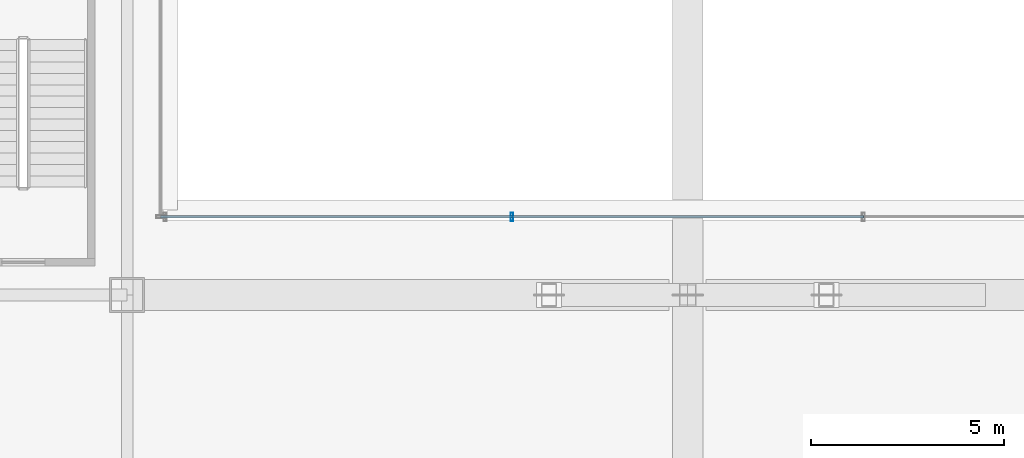
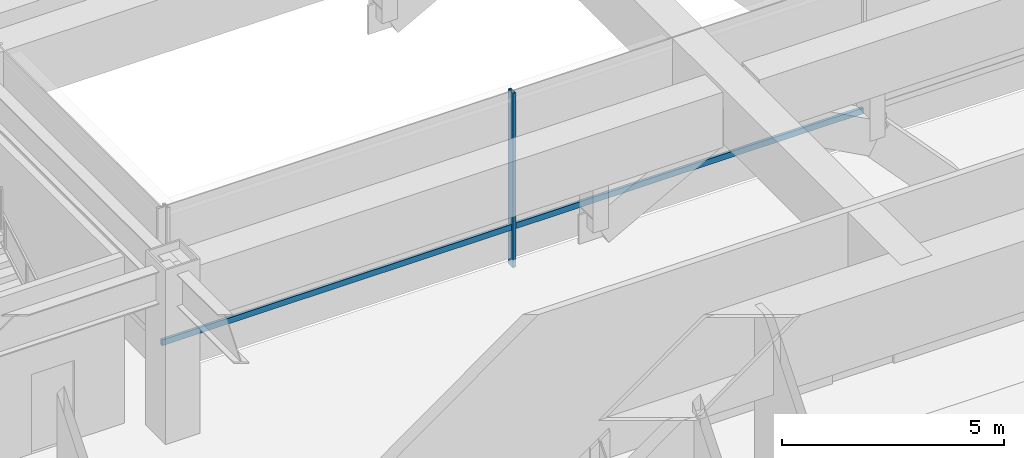
# One storey, part 18 of 37: 3 members, 1 element without a shape of its own.
"""IFC4 building model written with IfcOpenShell, lengths in metres."""

from ifc_helpers import new_model, si_unit, direction, frame, origin, origin_2d, place, context, subcontext, project, spatial, hollow_rectangle, extrude, material, layer, layer_set, material_profile, profile_set, type_object, element, aggregate, save


model = new_model("IFC4")

# Units and contexts
model_context = context("Model", 3, precision=1e-05, world=origin(), true_north=direction((0.0, 1.0)))
body_context = subcontext(model_context, "Body", "Model", "MODEL_VIEW")
ifc_project = project(units=[si_unit("LENGTHUNIT", "METRE"), si_unit("AREAUNIT", "SQUARE_METRE"), si_unit("VOLUMEUNIT", "CUBIC_METRE"), si_unit("PLANEANGLEUNIT", "RADIAN"), si_unit("MASSUNIT", "GRAM", prefix="KILO")], contexts=[model_context])

# Site, building, storey
site_placement = place(None, origin())
site = spatial("IfcSite", under=ifc_project, at=site_placement, CompositionType="ELEMENT")
building_placement = place(site_placement, origin())
building = spatial("IfcBuilding", under=site, at=building_placement, Name="Brelmoor Portico Tower", CompositionType="ELEMENT")
storey_placement = place(building_placement, frame((0.0, 0.0, 14.39990234375)))
storey = spatial("IfcBuildingStorey", under=building, at=storey_placement, Name="L03", CompositionType="ELEMENT", Elevation=14.39990234375)

# Curtain wall, members
ifc_material = material(Name="Anodised Aluminium Alloy 6063-T6", Category="aluminium")
ifc_layer = layer(ifc_material, 0.179931640625)
ifc_layer_set = layer_set([ifc_layer], Name="Anodised Aluminium Alloy 6063-T6")
curtain_wall_type = type_object("IfcCurtainWallType", Name="CW-PODIUM-ARCH", PredefinedType="NOTDEFINED", material=ifc_layer_set)
curtain_wall_placement = place(storey_placement, origin())
curtain_wall = element("IfcCurtainWall", 1, at=curtain_wall_placement, inside=storey, type_object=curtain_wall_type, Name="L03 Curtain Wall CW-L03-10", PredefinedType="NOTDEFINED")
ifc_material_profile_1 = material_profile(ifc_material, hollow_rectangle(XDim=0.074951171875, YDim=0.219970703125, WallThickness=0.0048828125, at=origin_2d()), Name="ALU MULLION 75x220")
ifc_profile_set_1 = profile_set([ifc_material_profile_1], Name="Anodised Aluminium Alloy 6063-T6")
member_type_1 = type_object("IfcMemberType", Name="MB-CW-MULL-220", PredefinedType="MULLION", material=ifc_profile_set_1)
member_1_placement = place(storey_placement, frame((-4.56005859375, 20.080078125, -0.219970703125), z_axis=(0.0, 0.0, 1.0), x_axis=(1.0, 0.0, 0.0)))
member_1 = element("IfcMember", 2, at=member_1_placement, type_object=member_type_1, Name="CW-L03-10 Mullion 01", PredefinedType="MULLION", context=body_context, shape_type="SweptSolid", body=[
    extrude(hollow_rectangle(XDim=0.074951171875, YDim=0.219970703125, WallThickness=0.0048828125, at=origin_2d()), origin(), (0.0, 0.0, 1.0), 4.800048828125),
])
ifc_material_profile_2 = material_profile(ifc_material, hollow_rectangle(XDim=0.070068359375, YDim=0.159912109375, WallThickness=0.00390625, at=origin_2d()), Name="ALU TRANSOM 70x160")
ifc_profile_set_2 = profile_set([ifc_material_profile_2], Name="Anodised Aluminium Alloy 6063-T6")
member_type_2 = type_object("IfcMemberType", Name="MB-CW-TRAN-160", PredefinedType="USERDEFINED", material=ifc_profile_set_2)
member_2_placement = place(storey_placement, frame((-13.679931640625, 20.080078125, 0.85009765625), z_axis=(1.0, 0.0, 0.0), x_axis=(0.0, 1.0, 0.0)))
member_2 = element("IfcMember", 3, at=member_2_placement, type_object=member_type_2, Name="CW-L03-10 Transom 1-00", ObjectType="TRANSOM", PredefinedType="USERDEFINED", context=body_context, shape_type="SweptSolid", body=[
    extrude(hollow_rectangle(XDim=0.070068359375, YDim=0.159912109375, WallThickness=0.00390625, at=origin_2d()), origin(), (0.0, 0.0, 1.0), 9.119873046875),
])
member_3_placement = place(storey_placement, frame((-4.56005859375, 20.080078125, 0.85009765625), z_axis=(1.0, 0.0, 0.0), x_axis=(0.0, 1.0, 0.0)))
member_3 = element("IfcMember", 4, at=member_3_placement, type_object=member_type_2, Name="CW-L03-10 Transom 1-01", ObjectType="TRANSOM", PredefinedType="USERDEFINED", context=body_context, shape_type="SweptSolid", body=[
    extrude(hollow_rectangle(XDim=0.070068359375, YDim=0.159912109375, WallThickness=0.00390625, at=origin_2d()), origin(), (0.0, 0.0, 1.0), 9.1201171875),
])
aggregate(curtain_wall, [member_1, member_2, member_3])

save(model, "model.ifc")
